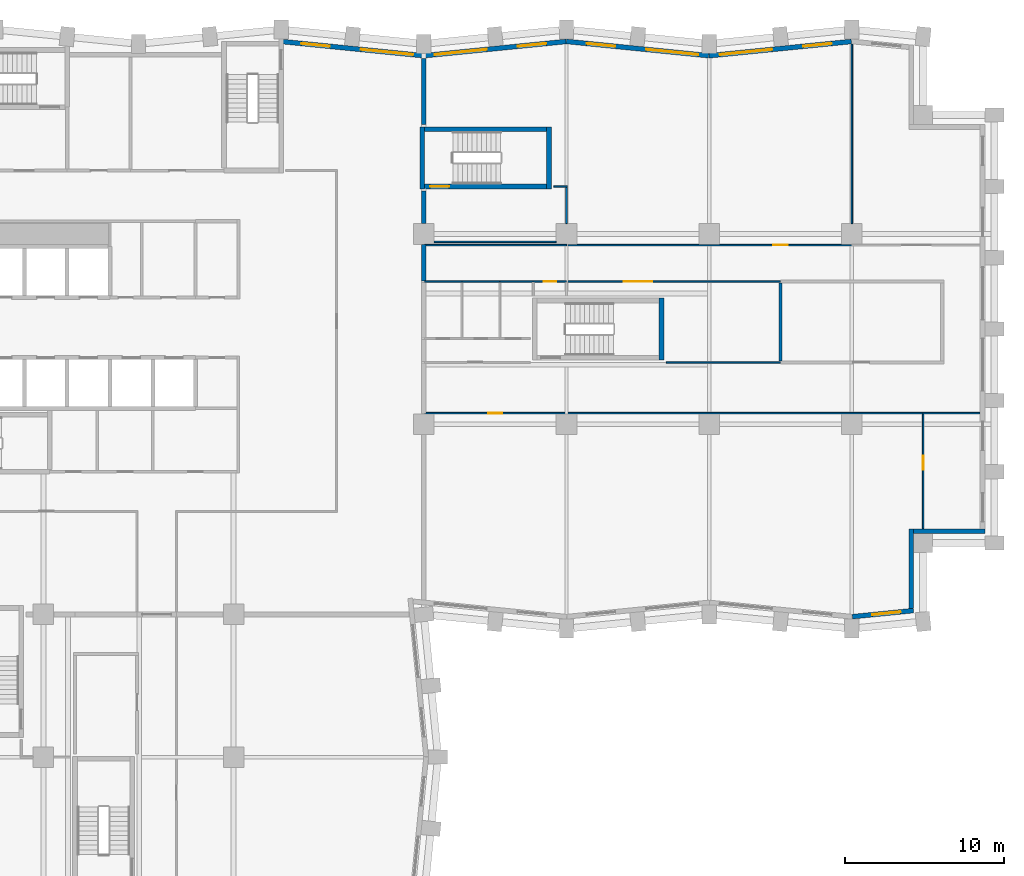
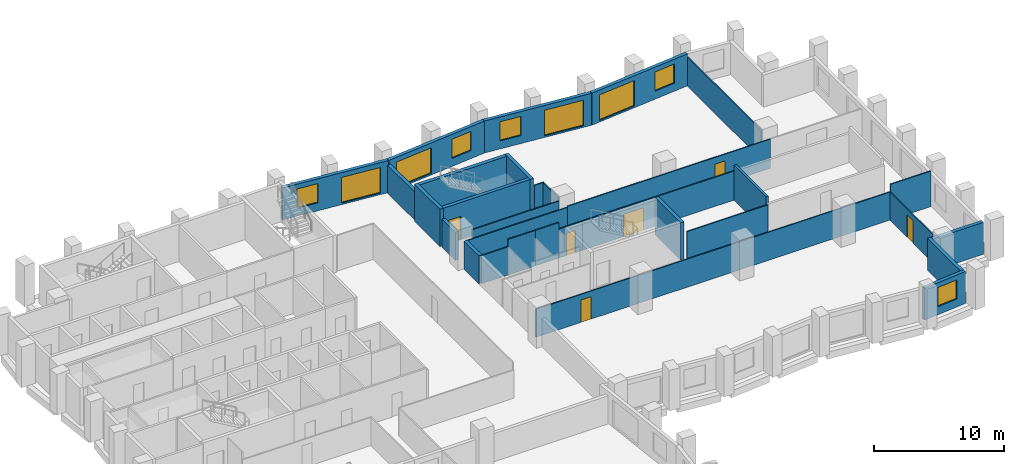
# One storey, part 7 of 11: 31 walls, 9 windows, 6 doors, 15 openings.
"""IFC4 building model written with IfcOpenShell, lengths in metres."""

from ifc_helpers import new_model, si_unit, direction, frame, frame_2d, origin, place, context, subcontext, project, spatial, rectangle, extrude, material, layer, layer_set, type_object, element, fill, save


model = new_model("IFC4")

# Units and contexts
model_context = context("Model", 3, precision=1e-05, world=origin(), true_north=direction((0.0, 1.0)))
body_context = subcontext(model_context, "Body", "Model", "MODEL_VIEW")
ifc_project = project(units=[si_unit("LENGTHUNIT", "METRE"), si_unit("AREAUNIT", "SQUARE_METRE"), si_unit("VOLUMEUNIT", "CUBIC_METRE"), si_unit("PLANEANGLEUNIT", "RADIAN"), si_unit("MASSUNIT", "GRAM", prefix="KILO")], contexts=[model_context])

# Site, building, storey
site_placement = place(None, origin())
site = spatial("IfcSite", under=ifc_project, at=site_placement, CompositionType="ELEMENT")
building_placement = place(site_placement, origin())
building = spatial("IfcBuilding", under=site, at=building_placement, Name="Brondeck Convention Tower", CompositionType="ELEMENT")
storey_placement = place(building_placement, frame((0.0, 0.0, 134.10009765625)))
storey = spatial("IfcBuildingStorey", under=building, at=storey_placement, Name="L32", CompositionType="ELEMENT", Elevation=134.10009765625)

# Walls
ifc_material_1 = material(Name="Concrete compartment wall C30/37", Category="concrete")
ifc_layer_1 = layer(ifc_material_1, 0.300048828125)
ifc_layer_set_1 = layer_set([ifc_layer_1], Name="Compartment wall 300")
wall_type_1 = type_object("IfcWallType", Name="Compartment wall 300", PredefinedType="PARTITIONING", material=ifc_layer_set_1)
wall_1_placement = place(storey_placement, frame((36.0, 48.050048828125, 0.0), z_axis=(0.0, 0.0, 1.0), x_axis=(0.0, 1.0, 0.0)))
element("IfcWall", 1, at=wall_1_placement, inside=storey, type_object=wall_type_1, Name="FLR-L32-W050", PredefinedType="PARTITIONING", context=body_context, shape_type="SweptSolid", body=[
    extrude(rectangle(XDim=2.280029296875, YDim=0.300048828125, at=frame_2d((1.14013671875, 0.0))), origin(), (0.0, 0.0, 1.0), 2.6298828125),
])
wall_2_placement = place(storey_placement, frame((36.0, 51.655029296875, 0.0), z_axis=(0.0, 0.0, 1.0), x_axis=(0.0, 1.0, 0.0)))
element("IfcWall", 2, at=wall_2_placement, inside=storey, type_object=wall_type_1, Name="FLR-L32-W055", PredefinedType="PARTITIONING", context=body_context, shape_type="SweptSolid", body=[
    extrude(rectangle(XDim=2.044921875, YDim=0.300048828125, at=frame_2d((1.0224609375, 0.0))), origin(), (0.0, 0.0, 1.0), 2.6298828125),
])
wall_3_placement = place(storey_placement, frame((36.0, 57.89990234375, 0.0), z_axis=(0.0, 0.0, 1.0), x_axis=(0.0, 1.0, 0.0)))
element("IfcWall", 3, at=wall_3_placement, inside=storey, type_object=wall_type_1, Name="FLR-L32-W060", PredefinedType="PARTITIONING", context=body_context, shape_type="SweptSolid", body=[
    extrude(rectangle(XDim=4.175537109375, YDim=0.300048828125, at=frame_2d((2.087890625, 0.0))), origin(), (0.0, 0.0, 1.0), 2.6298828125),
])

# Wall, opening, window
ifc_material_2 = material(Name="Precast concrete C50/60 bronze finish", Category="concrete")
ifc_layer_2 = layer(ifc_material_2, 0.070068359375, Name="Bronze precast facing")
ifc_material_3 = material(Name="Mineral wool")
ifc_layer_3 = layer(ifc_material_3, 0.159912109375, Name="Insulation")
ifc_material_4 = material(Name="Concrete C35/45", Category="concrete")
ifc_layer_4 = layer(ifc_material_4, 0.070068359375, Name="Backing")
ifc_layer_set_2 = layer_set([ifc_layer_2, ifc_layer_3, ifc_layer_4], Name="External infill wall, precast concrete C50/60 bronze facing")
wall_type_2 = type_object("IfcWallType", Name="External infill wall, precast concrete C50/60 bronze facing", PredefinedType="SOLIDWALL", material=ifc_layer_set_2)
wall_4_placement = place(storey_placement, frame((66.885009765625, 27.2421875, 0.0), z_axis=(0.0, 0.0, 1.0), x_axis=(-0.995037814081, -0.099497480111, 0.0)))
wall_4 = element("IfcWall", 4, at=wall_4_placement, inside=storey, type_object=wall_type_2, Name="ENV-EW-L32-P0-A-S-06", PredefinedType="SOLIDWALL", context=body_context, shape_type="SweptSolid", body=[
    extrude(rectangle(XDim=3.87451171875, YDim=0.300048828125, at=frame_2d((1.937255859375, 0.0))), origin(), (0.0, 0.0, 1.0), 3.0),
])
opening_1_placement = place(wall_4_placement, frame((0.818359375, 0.0, 0.75)))
opening_1 = element("IfcOpeningElement", 5, at=opening_1_placement, cuts=wall_4, Name="Opening W10", PredefinedType="OPENING", context=body_context, shape_type="SweptSolid", body=[
    extrude(rectangle(XDim=1.800048828125, YDim=1.800048828125, at=frame_2d((0.89990234375, 0.89990234375))), frame((0.0, 0.159912109375, 0.0), z_axis=(0.0, -1.0, 0.0), x_axis=(1.0, 0.0, 0.0)), (0.0, 0.0, 1.0), 0.320068359375),
])
ifc_material_5 = material(Name="Bronze tinted double glazing", Category="glass")
window_type_1 = type_object("IfcWindowType", Name="Punched window, bronze tinted", PartitioningType="SINGLE_PANEL", PredefinedType="WINDOW", material=ifc_material_5)
window_1_placement = place(opening_1_placement, origin())
window_1 = element("IfcWindow", 6, at=window_1_placement, inside=storey, type_object=window_type_1, Name="ENV-WN-L32-P0-A-S-06", OverallHeight=1.800048828125, OverallWidth=1.800048828125, PartitioningType="SINGLE_PANEL", PredefinedType="WINDOW", context=body_context, shape_type="SweptSolid", body=[
    extrude(rectangle(XDim=1.800048828125, YDim=1.800048828125, at=frame_2d((0.89990234375, 0.89990234375))), frame((0.0, 0.030029296875, 0.0), z_axis=(0.0, -1.0, 0.0), x_axis=(1.0, 0.0, 0.0)), (0.0, 0.0, 1.0), 0.06005859375),
])
fill(opening_1, window_1)

# Walls
wall_5_placement = place(storey_placement, frame((66.75, 32.39990234375, 0.0), z_axis=(0.0, 0.0, 1.0), x_axis=(0.0, -1.0, 0.0)))
element("IfcWall", 7, at=wall_5_placement, inside=storey, type_object=wall_type_2, Name="ENV-EW-L32-P0-NC-SEA72-01", PredefinedType="SOLIDWALL", context=body_context, shape_type="SweptSolid", body=[
    extrude(rectangle(XDim=5.019287109375, YDim=0.300048828125, at=frame_2d((2.509765625, 0.0))), origin(), (0.0, 0.0, 1.0), 3.0),
])
wall_6_placement = place(storey_placement, frame((71.39990234375, 32.25, 0.0), z_axis=(0.0, 0.0, 1.0), x_axis=(-1.0, 0.0, 0.0)))
element("IfcWall", 8, at=wall_6_placement, inside=storey, type_object=wall_type_2, Name="ENV-EW-L32-P0-NC-SEA72-02", PredefinedType="SOLIDWALL", context=body_context, shape_type="SweptSolid", body=[
    extrude(rectangle(XDim=4.5, YDim=0.300048828125, at=frame_2d((2.25, 0.0))), origin(), (0.0, 0.0, 1.0), 3.0),
])

# Wall, openings, windows
wall_7_placement = place(storey_placement, frame((53.985107421875, 62.244873046875, 0.0), z_axis=(0.0, 0.0, 1.0), x_axis=(0.995037993253, 0.099495688264, 0.0)))
wall_7 = element("IfcWall", 9, at=wall_7_placement, inside=storey, type_object=wall_type_2, Name="ENV-EW-L32-P0-A-N-13", PredefinedType="SOLIDWALL", context=body_context, shape_type="SweptSolid", body=[
    extrude(rectangle(XDim=9.030029296875, YDim=0.300048828125, at=frame_2d((4.51513671875, 0.0))), origin(), (0.0, 0.0, 1.0), 3.0),
])
opening_2_placement = place(wall_7_placement, frame((0.701171875, 0.0, 0.14990234375)))
opening_2 = element("IfcOpeningElement", 10, at=opening_2_placement, cuts=wall_7, Name="Opening W9", PredefinedType="OPENING", context=body_context, shape_type="SweptSolid", body=[
    extrude(rectangle(XDim=3.300048828125, YDim=2.39990234375, at=frame_2d((1.64990234375, 1.199951171875))), frame((0.0, 0.159912109375, 0.0), z_axis=(0.0, -1.0, 0.0), x_axis=(1.0, 0.0, 0.0)), (0.0, 0.0, 1.0), 0.320068359375),
])
opening_3_placement = place(wall_7_placement, frame((5.9736328125, 0.0, 0.75)))
opening_3 = element("IfcOpeningElement", 11, at=opening_3_placement, cuts=wall_7, Name="Opening W10", PredefinedType="OPENING", context=body_context, shape_type="SweptSolid", body=[
    extrude(rectangle(XDim=1.800048828125, YDim=1.800048828125, at=frame_2d((0.89990234375, 0.89990234375))), frame((0.0, 0.159912109375, 0.0), z_axis=(0.0, -1.0, 0.0), x_axis=(1.0, 0.0, 0.0)), (0.0, 0.0, 1.0), 0.320068359375),
])
window_type_2 = type_object("IfcWindowType", Name="Glazed flute window, bronze tinted", PartitioningType="SINGLE_PANEL", PredefinedType="WINDOW", material=ifc_material_5)
window_2_placement = place(opening_2_placement, origin())
window_2 = element("IfcWindow", 12, at=window_2_placement, inside=storey, type_object=window_type_2, Name="ENV-WN-L32-P0-A-N-12", OverallHeight=2.39990234375, OverallWidth=3.300048828125, PartitioningType="SINGLE_PANEL", PredefinedType="WINDOW", context=body_context, shape_type="SweptSolid", body=[
    extrude(rectangle(XDim=3.300048828125, YDim=2.39990234375, at=frame_2d((1.64990234375, 1.199951171875))), frame((0.0, 0.030029296875, 0.0), z_axis=(0.0, -1.0, 0.0), x_axis=(1.0, 0.0, 0.0)), (0.0, 0.0, 1.0), 0.06005859375),
])
fill(opening_2, window_2)
window_3_placement = place(opening_3_placement, origin())
window_3 = element("IfcWindow", 13, at=window_3_placement, inside=storey, type_object=window_type_1, Name="ENV-WN-L32-P0-A-N-13", OverallHeight=1.800048828125, OverallWidth=1.800048828125, PartitioningType="SINGLE_PANEL", PredefinedType="WINDOW", context=body_context, shape_type="SweptSolid", body=[
    extrude(rectangle(XDim=1.800048828125, YDim=1.800048828125, at=frame_2d((0.89990234375, 0.89990234375))), frame((0.0, 0.030029296875, 0.0), z_axis=(0.0, -1.0, 0.0), x_axis=(1.0, 0.0, 0.0)), (0.0, 0.0, 1.0), 0.06005859375),
])
fill(opening_3, window_3)

wall_8_placement = place(storey_placement, frame((44.985107421875, 63.147705078125, 0.0), z_axis=(0.0, 0.0, 1.0), x_axis=(0.995037993253, -0.099495688264, 0.0)))
wall_8 = element("IfcWall", 14, at=wall_8_placement, inside=storey, type_object=wall_type_2, Name="ENV-EW-L32-P0-A-N-11", PredefinedType="SOLIDWALL", context=body_context, shape_type="SweptSolid", body=[
    extrude(rectangle(XDim=9.030029296875, YDim=0.300048828125, at=frame_2d((4.51513671875, 0.0))), origin(), (0.0, 0.0, 1.0), 3.0),
])
opening_4_placement = place(wall_8_placement, frame((1.30126953125, 0.0, 0.75)))
opening_4 = element("IfcOpeningElement", 15, at=opening_4_placement, cuts=wall_8, Name="Opening W10", PredefinedType="OPENING", context=body_context, shape_type="SweptSolid", body=[
    extrude(rectangle(XDim=1.800048828125, YDim=1.800048828125, at=frame_2d((0.89990234375, 0.89990234375))), frame((0.0, 0.159912109375, 0.0), z_axis=(0.0, -1.0, 0.0), x_axis=(1.0, 0.0, 0.0)), (0.0, 0.0, 1.0), 0.320068359375),
])
opening_5_placement = place(wall_8_placement, frame((5.073486328125, 0.0, 0.14990234375)))
opening_5 = element("IfcOpeningElement", 16, at=opening_5_placement, cuts=wall_8, Name="Opening W9", PredefinedType="OPENING", context=body_context, shape_type="SweptSolid", body=[
    extrude(rectangle(XDim=3.300048828125, YDim=2.39990234375, at=frame_2d((1.64990234375, 1.199951171875))), frame((0.0, 0.159912109375, 0.0), z_axis=(0.0, -1.0, 0.0), x_axis=(1.0, 0.0, 0.0)), (0.0, 0.0, 1.0), 0.320068359375),
])
window_4_placement = place(opening_5_placement, origin())
window_4 = element("IfcWindow", 17, at=window_4_placement, inside=storey, type_object=window_type_2, Name="ENV-WN-L32-P0-A-N-11", OverallHeight=2.39990234375, OverallWidth=3.300048828125, PartitioningType="SINGLE_PANEL", PredefinedType="WINDOW", context=body_context, shape_type="SweptSolid", body=[
    extrude(rectangle(XDim=3.300048828125, YDim=2.39990234375, at=frame_2d((1.64990234375, 1.199951171875))), frame((0.0, 0.030029296875, 0.0), z_axis=(0.0, -1.0, 0.0), x_axis=(1.0, 0.0, 0.0)), (0.0, 0.0, 1.0), 0.06005859375),
])
fill(opening_5, window_4)
window_5_placement = place(opening_4_placement, origin())
window_5 = element("IfcWindow", 18, at=window_5_placement, inside=storey, type_object=window_type_1, Name="ENV-WN-L32-P0-A-N-10", OverallHeight=1.800048828125, OverallWidth=1.800048828125, PartitioningType="SINGLE_PANEL", PredefinedType="WINDOW", context=body_context, shape_type="SweptSolid", body=[
    extrude(rectangle(XDim=1.800048828125, YDim=1.800048828125, at=frame_2d((0.89990234375, 0.89990234375))), frame((0.0, 0.030029296875, 0.0), z_axis=(0.0, -1.0, 0.0), x_axis=(1.0, 0.0, 0.0)), (0.0, 0.0, 1.0), 0.06005859375),
])
fill(opening_4, window_5)

wall_9_placement = place(storey_placement, frame((35.985107421875, 62.244873046875, 0.0), z_axis=(0.0, 0.0, 1.0), x_axis=(0.995037993253, 0.099495688264, 0.0)))
wall_9 = element("IfcWall", 19, at=wall_9_placement, inside=storey, type_object=wall_type_2, Name="ENV-EW-L32-P0-A-N-09", PredefinedType="SOLIDWALL", context=body_context, shape_type="SweptSolid", body=[
    extrude(rectangle(XDim=9.030029296875, YDim=0.300048828125, at=frame_2d((4.51513671875, 0.0))), origin(), (0.0, 0.0, 1.0), 3.0),
])
opening_6_placement = place(wall_9_placement, frame((0.701171875, 0.0, 0.14990234375)))
opening_6 = element("IfcOpeningElement", 20, at=opening_6_placement, cuts=wall_9, Name="Opening W9", PredefinedType="OPENING", context=body_context, shape_type="SweptSolid", body=[
    extrude(rectangle(XDim=3.300048828125, YDim=2.39990234375, at=frame_2d((1.64990234375, 1.199951171875))), frame((0.0, 0.159912109375, 0.0), z_axis=(0.0, -1.0, 0.0), x_axis=(1.0, 0.0, 0.0)), (0.0, 0.0, 1.0), 0.320068359375),
])
opening_7_placement = place(wall_9_placement, frame((5.9736328125, 0.0, 0.75)))
opening_7 = element("IfcOpeningElement", 21, at=opening_7_placement, cuts=wall_9, Name="Opening W10", PredefinedType="OPENING", context=body_context, shape_type="SweptSolid", body=[
    extrude(rectangle(XDim=1.800048828125, YDim=1.800048828125, at=frame_2d((0.89990234375, 0.89990234375))), frame((0.0, 0.159912109375, 0.0), z_axis=(0.0, -1.0, 0.0), x_axis=(1.0, 0.0, 0.0)), (0.0, 0.0, 1.0), 0.320068359375),
])
window_6_placement = place(opening_6_placement, origin())
window_6 = element("IfcWindow", 22, at=window_6_placement, inside=storey, type_object=window_type_2, Name="ENV-WN-L32-P0-A-N-08", OverallHeight=2.39990234375, OverallWidth=3.300048828125, PartitioningType="SINGLE_PANEL", PredefinedType="WINDOW", context=body_context, shape_type="SweptSolid", body=[
    extrude(rectangle(XDim=3.300048828125, YDim=2.39990234375, at=frame_2d((1.64990234375, 1.199951171875))), frame((0.0, 0.030029296875, 0.0), z_axis=(0.0, -1.0, 0.0), x_axis=(1.0, 0.0, 0.0)), (0.0, 0.0, 1.0), 0.06005859375),
])
fill(opening_6, window_6)
window_7_placement = place(opening_7_placement, origin())
window_7 = element("IfcWindow", 23, at=window_7_placement, inside=storey, type_object=window_type_1, Name="ENV-WN-L32-P0-A-N-09", OverallHeight=1.800048828125, OverallWidth=1.800048828125, PartitioningType="SINGLE_PANEL", PredefinedType="WINDOW", context=body_context, shape_type="SweptSolid", body=[
    extrude(rectangle(XDim=1.800048828125, YDim=1.800048828125, at=frame_2d((0.89990234375, 0.89990234375))), frame((0.0, 0.030029296875, 0.0), z_axis=(0.0, -1.0, 0.0), x_axis=(1.0, 0.0, 0.0)), (0.0, 0.0, 1.0), 0.06005859375),
])
fill(opening_7, window_7)

wall_10_placement = place(storey_placement, frame((27.07470703125, 63.138916015625, 0.0), z_axis=(0.0, 0.0, 1.0), x_axis=(0.995036108601, -0.099514534519, 0.0)))
wall_10 = element("IfcWall", 24, at=wall_10_placement, inside=storey, type_object=wall_type_2, Name="ENV-EW-L32-P0-A-N-07", PredefinedType="SOLIDWALL", context=body_context, shape_type="SweptSolid", body=[
    extrude(rectangle(XDim=8.93994140625, YDim=0.300048828125, at=frame_2d((4.469970703125, 0.0))), origin(), (0.0, 0.0, 1.0), 3.0),
])
opening_8_placement = place(wall_10_placement, frame((1.211181640625, 0.0, 0.75)))
opening_8 = element("IfcOpeningElement", 25, at=opening_8_placement, cuts=wall_10, Name="Opening W10", PredefinedType="OPENING", context=body_context, shape_type="SweptSolid", body=[
    extrude(rectangle(XDim=1.800048828125, YDim=1.800048828125, at=frame_2d((0.89990234375, 0.89990234375))), frame((0.0, 0.159912109375, 0.0), z_axis=(0.0, -1.0, 0.0), x_axis=(1.0, 0.0, 0.0)), (0.0, 0.0, 1.0), 0.320068359375),
])
opening_9_placement = place(wall_10_placement, frame((4.983642578125, 0.0, 0.14990234375)))
opening_9 = element("IfcOpeningElement", 26, at=opening_9_placement, cuts=wall_10, Name="Opening W9", PredefinedType="OPENING", context=body_context, shape_type="SweptSolid", body=[
    extrude(rectangle(XDim=3.300048828125, YDim=2.39990234375, at=frame_2d((1.64990234375, 1.199951171875))), frame((0.0, 0.159912109375, 0.0), z_axis=(0.0, -1.0, 0.0), x_axis=(1.0, 0.0, 0.0)), (0.0, 0.0, 1.0), 0.320068359375),
])
window_8_placement = place(opening_9_placement, origin())
window_8 = element("IfcWindow", 27, at=window_8_placement, inside=storey, type_object=window_type_2, Name="ENV-WN-L32-P0-A-N-07", OverallHeight=2.39990234375, OverallWidth=3.300048828125, PartitioningType="SINGLE_PANEL", PredefinedType="WINDOW", context=body_context, shape_type="SweptSolid", body=[
    extrude(rectangle(XDim=3.300048828125, YDim=2.39990234375, at=frame_2d((1.64990234375, 1.199951171875))), frame((0.0, 0.030029296875, 0.0), z_axis=(0.0, -1.0, 0.0), x_axis=(1.0, 0.0, 0.0)), (0.0, 0.0, 1.0), 0.06005859375),
])
fill(opening_9, window_8)
window_9_placement = place(opening_8_placement, origin())
window_9 = element("IfcWindow", 28, at=window_9_placement, inside=storey, type_object=window_type_1, Name="ENV-WN-L32-P0-A-N-06", OverallHeight=1.800048828125, OverallWidth=1.800048828125, PartitioningType="SINGLE_PANEL", PredefinedType="WINDOW", context=body_context, shape_type="SweptSolid", body=[
    extrude(rectangle(XDim=1.800048828125, YDim=1.800048828125, at=frame_2d((0.89990234375, 0.89990234375))), frame((0.0, 0.030029296875, 0.0), z_axis=(0.0, -1.0, 0.0), x_axis=(1.0, 0.0, 0.0)), (0.0, 0.0, 1.0), 0.06005859375),
])
fill(opening_8, window_9)

# Wall
ifc_material_6 = material(Name="Concrete block wall C16/20", Category="concrete")
ifc_layer_5 = layer(ifc_material_6, 0.199951171875)
ifc_layer_set_3 = layer_set([ifc_layer_5], Name="Plant room wall 200")
wall_type_3 = type_object("IfcWallType", Name="Plant room wall 200", PredefinedType="PARTITIONING", material=ifc_layer_set_3)
wall_11_placement = place(storey_placement, frame((58.5, 47.89990234375, 0.0), z_axis=(0.0, 0.0, 1.0), x_axis=(0.0, -1.0, 0.0)))
element("IfcWall", 29, at=wall_11_placement, inside=storey, type_object=wall_type_3, Name="FLR-L32-W039", PredefinedType="PARTITIONING", context=body_context, shape_type="SweptSolid", body=[
    extrude(rectangle(XDim=4.89990234375, YDim=0.199951171875, at=frame_2d((2.449951171875, 0.0))), origin(), (0.0, 0.0, 1.0), 3.329833984375),
])

# Wall, opening, door
ifc_material_7 = material(Name="Gypsum board partition on steel studs", Category="steel")
ifc_layer_6 = layer(ifc_material_7, 0.10009765625)
ifc_layer_set_4 = layer_set([ifc_layer_6], Name="Room partition 100")
wall_type_4 = type_object("IfcWallType", Name="Room partition 100", PredefinedType="PARTITIONING", material=ifc_layer_set_4)
wall_12_placement = place(storey_placement, frame((67.5, 39.64990234375, 0.0), z_axis=(0.0, 0.0, 1.0), x_axis=(0.0, -1.0, 0.0)))
wall_12 = element("IfcWall", 30, at=wall_12_placement, inside=storey, type_object=wall_type_4, Name="FLR-L32-W026", PredefinedType="PARTITIONING", context=body_context, shape_type="SweptSolid", body=[
    extrude(rectangle(XDim=7.22998046875, YDim=0.10009765625, at=frame_2d((3.614990234375, 0.0))), origin(), (0.0, 0.0, 1.0), 2.6298828125),
])
opening_10_placement = place(wall_12_placement, frame((2.625, 0.0, 0.0)))
opening_10 = element("IfcOpeningElement", 31, at=opening_10_placement, cuts=wall_12, Name="Opening OF-E-010", PredefinedType="OPENING", context=body_context, shape_type="SweptSolid", body=[
    extrude(rectangle(XDim=0.89990234375, YDim=2.10009765625, at=frame_2d((0.449951171875, 1.050048828125))), frame((0.0, 0.06005859375, 0.0), z_axis=(0.0, -1.0, 0.0), x_axis=(1.0, 0.0, 0.0)), (0.0, 0.0, 1.0), 0.1201171875),
])
ifc_material_8 = material(Name="Solid timber door leaf", Category="wood")
door_type_1 = type_object("IfcDoorType", Name="Single door 900", OperationType="NOTDEFINED", PredefinedType="DOOR", material=ifc_material_8)
door_1_placement = place(opening_10_placement, origin())
door_1 = element("IfcDoor", 32, at=door_1_placement, inside=storey, type_object=door_type_1, Name="Door OF-E-010", OperationType="SINGLE_SWING_LEFT", OverallHeight=2.10009765625, OverallWidth=0.89990234375, PredefinedType="DOOR", context=body_context, shape_type="SweptSolid", body=[
    extrude(rectangle(XDim=0.89990234375, YDim=2.10009765625, at=frame_2d((0.449951171875, 1.050048828125))), frame((0.0, 0.02490234375, 0.0), z_axis=(0.0, -1.0, 0.0), x_axis=(1.0, 0.0, 0.0)), (0.0, 0.0, 1.0), 0.050048828125),
])
fill(opening_10, door_1)

wall_13_placement = place(storey_placement, frame((67.5, 39.699951171875, 0.0), z_axis=(0.0, 0.0, 1.0), x_axis=(-1.0, 0.0, 0.0)))
wall_13 = element("IfcWall", 33, at=wall_13_placement, inside=storey, type_object=wall_type_4, Name="FLR-L32-W027", PredefinedType="PARTITIONING", context=body_context, shape_type="SweptSolid", body=[
    extrude(rectangle(XDim=31.449951171875, YDim=0.10009765625, at=frame_2d((15.72509765625, 0.0))), origin(), (0.0, 0.0, 1.0), 2.6298828125),
])
opening_11_placement = place(wall_13_placement, frame((26.550048828125, 0.0, 0.0)))
opening_11 = element("IfcOpeningElement", 34, at=opening_11_placement, cuts=wall_13, Name="Opening OF-E-009", PredefinedType="OPENING", context=body_context, shape_type="SweptSolid", body=[
    extrude(rectangle(XDim=0.89990234375, YDim=2.10009765625, at=frame_2d((0.449951171875, 1.050048828125))), frame((0.0, 0.06005859375, 0.0), z_axis=(0.0, -1.0, 0.0), x_axis=(1.0, 0.0, 0.0)), (0.0, 0.0, 1.0), 0.1201171875),
])
door_2_placement = place(opening_11_placement, origin())
door_2 = element("IfcDoor", 35, at=door_2_placement, inside=storey, type_object=door_type_1, Name="Door OF-E-009", OperationType="SINGLE_SWING_LEFT", OverallHeight=2.10009765625, OverallWidth=0.89990234375, PredefinedType="DOOR", context=body_context, shape_type="SweptSolid", body=[
    extrude(rectangle(XDim=0.89990234375, YDim=2.10009765625, at=frame_2d((0.449951171875, 1.050048828125))), frame((0.0, 0.02490234375, 0.0), z_axis=(0.0, -1.0, 0.0), x_axis=(1.0, 0.0, 0.0)), (0.0, 0.0, 1.0), 0.050048828125),
])
fill(opening_11, door_2)

# Walls
wall_14_placement = place(storey_placement, frame((71.080078125, 39.699951171875, 0.0), z_axis=(0.0, 0.0, 1.0), x_axis=(-1.0, 0.0, 0.0)))
element("IfcWall", 36, at=wall_14_placement, inside=storey, type_object=wall_type_4, Name="FLR-L32-W028", PredefinedType="PARTITIONING", context=body_context, shape_type="SweptSolid", body=[
    extrude(rectangle(XDim=3.580078125, YDim=0.10009765625, at=frame_2d((1.7900390625, 0.0))), origin(), (0.0, 0.0, 1.0), 3.329833984375),
])
wall_15_placement = place(storey_placement, frame((51.300048828125, 42.89990234375, 0.0), z_axis=(0.0, 0.0, 1.0), x_axis=(1.0, 0.0, 0.0)))
element("IfcWall", 37, at=wall_15_placement, inside=storey, type_object=wall_type_4, Name="FLR-L32-W031", PredefinedType="PARTITIONING", context=body_context, shape_type="SweptSolid", body=[
    extrude(rectangle(XDim=7.199951171875, YDim=0.10009765625, at=frame_2d((3.60009765625, 0.0))), origin(), (0.0, 0.0, 1.0), 2.6298828125),
])
wall_16_placement = place(storey_placement, frame((38.39990234375, 48.0, 0.0), z_axis=(0.0, 0.0, 1.0), x_axis=(-1.0, 0.0, 0.0)))
element("IfcWall", 38, at=wall_16_placement, inside=storey, type_object=wall_type_4, Name="FLR-L32-W044", PredefinedType="PARTITIONING", context=body_context, shape_type="SweptSolid", body=[
    extrude(rectangle(XDim=2.349853515625, YDim=0.10009765625, at=frame_2d((1.1748046875, 0.0))), origin(), (0.0, 0.0, 1.0), 2.6298828125),
])
wall_17_placement = place(storey_placement, frame((40.800048828125, 48.0, 0.0), z_axis=(0.0, 0.0, 1.0), x_axis=(-1.0, 0.0, 0.0)))
element("IfcWall", 39, at=wall_17_placement, inside=storey, type_object=wall_type_4, Name="FLR-L32-W045", PredefinedType="PARTITIONING", context=body_context, shape_type="SweptSolid", body=[
    extrude(rectangle(XDim=2.400146484375, YDim=0.10009765625, at=frame_2d((1.2001953125, 0.0))), origin(), (0.0, 0.0, 1.0), 3.329833984375),
])
wall_18_placement = place(storey_placement, frame((42.89990234375, 48.0, 0.0), z_axis=(0.0, 0.0, 1.0), x_axis=(-1.0, 0.0, 0.0)))
element("IfcWall", 40, at=wall_18_placement, inside=storey, type_object=wall_type_4, Name="FLR-L32-W046", PredefinedType="PARTITIONING", context=body_context, shape_type="SweptSolid", body=[
    extrude(rectangle(XDim=2.099853515625, YDim=0.10009765625, at=frame_2d((1.0498046875, 0.0))), origin(), (0.0, 0.0, 1.0), 3.329833984375),
])

# Wall, opening, door
wall_19_placement = place(storey_placement, frame((45.0, 48.0, 0.0), z_axis=(0.0, 0.0, 1.0), x_axis=(-1.0, 0.0, 0.0)))
wall_19 = element("IfcWall", 41, at=wall_19_placement, inside=storey, type_object=wall_type_4, Name="FLR-L32-W047", PredefinedType="PARTITIONING", context=body_context, shape_type="SweptSolid", body=[
    extrude(rectangle(XDim=2.10009765625, YDim=0.10009765625, at=frame_2d((1.050048828125, 0.0))), origin(), (0.0, 0.0, 1.0), 2.72998046875),
])
opening_12_placement = place(wall_19_placement, frame((0.64990234375, 0.0, 0.0)))
opening_12 = element("IfcOpeningElement", 42, at=opening_12_placement, cuts=wall_19, Name="Opening OF-E-006", PredefinedType="OPENING", context=body_context, shape_type="SweptSolid", body=[
    extrude(rectangle(XDim=0.800048828125, YDim=2.10009765625, at=frame_2d((0.39990234375, 1.050048828125))), frame((0.0, 0.06005859375, 0.0), z_axis=(0.0, -1.0, 0.0), x_axis=(1.0, 0.0, 0.0)), (0.0, 0.0, 1.0), 0.1201171875),
])
ifc_material_9 = material(Name="Steel service door leaf", Category="steel")
door_type_2 = type_object("IfcDoorType", Name="Service door 800", OperationType="NOTDEFINED", PredefinedType="DOOR", material=ifc_material_9)
door_3_placement = place(opening_12_placement, origin())
door_3 = element("IfcDoor", 43, at=door_3_placement, inside=storey, type_object=door_type_2, Name="Door OF-E-006", OperationType="SINGLE_SWING_LEFT", OverallHeight=2.10009765625, OverallWidth=0.800048828125, PredefinedType="DOOR", context=body_context, shape_type="SweptSolid", body=[
    extrude(rectangle(XDim=0.800048828125, YDim=2.10009765625, at=frame_2d((0.39990234375, 1.050048828125))), frame((0.0, 0.02490234375, 0.0), z_axis=(0.0, -1.0, 0.0), x_axis=(1.0, 0.0, 0.0)), (0.0, 0.0, 1.0), 0.050048828125),
])
fill(opening_12, door_3)

wall_20_placement = place(storey_placement, frame((58.5, 48.0, 0.0), z_axis=(0.0, 0.0, 1.0), x_axis=(-1.0, 0.0, 0.0)))
wall_20 = element("IfcWall", 44, at=wall_20_placement, inside=storey, type_object=wall_type_4, Name="FLR-L32-W048", PredefinedType="PARTITIONING", context=body_context, shape_type="SweptSolid", body=[
    extrude(rectangle(XDim=13.5, YDim=0.10009765625, at=frame_2d((6.75, 0.0))), origin(), (0.0, 0.0, 1.0), 2.72998046875),
])
opening_13_placement = place(wall_20_placement, frame((8.10009765625, 0.0, 0.0)))
opening_13 = element("IfcOpeningElement", 45, at=opening_13_placement, cuts=wall_20, Name="Opening OF-E-007", PredefinedType="OPENING", context=body_context, shape_type="SweptSolid", body=[
    extrude(rectangle(XDim=1.800048828125, YDim=2.10009765625, at=frame_2d((0.89990234375, 1.050048828125))), frame((0.0, 0.06005859375, 0.0), z_axis=(0.0, -1.0, 0.0), x_axis=(1.0, 0.0, 0.0)), (0.0, 0.0, 1.0), 0.1201171875),
])
ifc_material_10 = material(Name="Glazed timber double door", Category="wood")
door_type_3 = type_object("IfcDoorType", Name="Double door 1800", OperationType="DOUBLE_DOOR_SINGLE_SWING", PredefinedType="DOOR", material=ifc_material_10)
door_4_placement = place(opening_13_placement, origin())
door_4 = element("IfcDoor", 46, at=door_4_placement, inside=storey, type_object=door_type_3, Name="Door OF-E-007", OperationType="DOUBLE_DOOR_SINGLE_SWING", OverallHeight=2.10009765625, OverallWidth=1.800048828125, PredefinedType="DOOR", context=body_context, shape_type="SweptSolid", body=[
    extrude(rectangle(XDim=1.800048828125, YDim=2.10009765625, at=frame_2d((0.89990234375, 1.050048828125))), frame((0.0, 0.02490234375, 0.0), z_axis=(0.0, -1.0, 0.0), x_axis=(1.0, 0.0, 0.0)), (0.0, 0.0, 1.0), 0.050048828125),
])
fill(opening_13, door_4)

# Wall
wall_21_placement = place(storey_placement, frame((36.050048828125, 50.300048828125, 0.0), z_axis=(0.0, 0.0, 1.0), x_axis=(1.0, 0.0, 0.0)))
element("IfcWall", 47, at=wall_21_placement, inside=storey, type_object=wall_type_4, Name="FLR-L32-W051", PredefinedType="PARTITIONING", context=body_context, shape_type="SweptSolid", body=[
    extrude(rectangle(XDim=8.949951171875, YDim=0.10009765625, at=frame_2d((4.47509765625, 0.0))), origin(), (0.0, 0.0, 1.0), 2.6298828125),
])

# Wall, opening, door
wall_22_placement = place(storey_placement, frame((45.0, 50.300048828125, 0.0), z_axis=(0.0, 0.0, 1.0), x_axis=(1.0, 0.0, 0.0)))
wall_22 = element("IfcWall", 48, at=wall_22_placement, inside=storey, type_object=wall_type_4, Name="FLR-L32-W052", PredefinedType="PARTITIONING", context=body_context, shape_type="SweptSolid", body=[
    extrude(rectangle(XDim=18.0, YDim=0.10009765625, at=frame_2d((9.0, 0.0))), origin(), (0.0, 0.0, 1.0), 2.72998046875),
])
opening_14_placement = place(wall_22_placement, frame((13.050048828125, 0.0, 0.0)))
opening_14 = element("IfcOpeningElement", 49, at=opening_14_placement, cuts=wall_22, Name="Opening OF-E-011", PredefinedType="OPENING", context=body_context, shape_type="SweptSolid", body=[
    extrude(rectangle(XDim=0.89990234375, YDim=2.10009765625, at=frame_2d((0.449951171875, 1.050048828125))), frame((0.0, 0.06005859375, 0.0), z_axis=(0.0, -1.0, 0.0), x_axis=(1.0, 0.0, 0.0)), (0.0, 0.0, 1.0), 0.1201171875),
])
door_5_placement = place(opening_14_placement, origin())
door_5 = element("IfcDoor", 50, at=door_5_placement, inside=storey, type_object=door_type_1, Name="Door OF-E-011", OperationType="SINGLE_SWING_LEFT", OverallHeight=2.10009765625, OverallWidth=0.89990234375, PredefinedType="DOOR", context=body_context, shape_type="SweptSolid", body=[
    extrude(rectangle(XDim=0.89990234375, YDim=2.10009765625, at=frame_2d((0.449951171875, 1.050048828125))), frame((0.0, 0.02490234375, 0.0), z_axis=(0.0, -1.0, 0.0), x_axis=(1.0, 0.0, 0.0)), (0.0, 0.0, 1.0), 0.050048828125),
])
fill(opening_14, door_5)

# Walls
wall_23_placement = place(storey_placement, frame((44.344970703125, 50.5, 0.0), z_axis=(0.0, 0.0, 1.0), x_axis=(-1.0, 0.0, 0.0)))
element("IfcWall", 51, at=wall_23_placement, inside=storey, type_object=wall_type_4, Name="FLR-L32-W054", PredefinedType="PARTITIONING", context=body_context, shape_type="SweptSolid", body=[
    extrude(rectangle(XDim=7.68994140625, YDim=0.10009765625, at=frame_2d((3.844970703125, 0.0))), origin(), (0.0, 0.0, 1.0), 3.329833984375),
])
wall_24_placement = place(storey_placement, frame((45.0, 53.949951171875, 0.0), z_axis=(0.0, 0.0, 1.0), x_axis=(0.0, -1.0, 0.0)))
element("IfcWall", 52, at=wall_24_placement, inside=storey, type_object=wall_type_4, Name="FLR-L32-W056", PredefinedType="PARTITIONING", context=body_context, shape_type="SweptSolid", body=[
    extrude(rectangle(XDim=2.294921875, YDim=0.10009765625, at=frame_2d((1.1474609375, 0.0))), origin(), (0.0, 0.0, 1.0), 2.72998046875),
])
wall_25_placement = place(storey_placement, frame((44.199951171875, 54.0, 0.0), z_axis=(0.0, 0.0, 1.0), x_axis=(1.0, 0.0, 0.0)))
element("IfcWall", 53, at=wall_25_placement, inside=storey, type_object=wall_type_4, Name="FLR-L32-W057", PredefinedType="PARTITIONING", context=body_context, shape_type="SweptSolid", body=[
    extrude(rectangle(XDim=0.85009765625, YDim=0.10009765625, at=frame_2d((0.425048828125, 0.0))), origin(), (0.0, 0.0, 1.0), 2.72998046875),
])
wall_26_placement = place(storey_placement, frame((63.0, 62.9755859375, 0.0), z_axis=(0.0, 0.0, 1.0), x_axis=(0.0, -1.0, 0.0)))
element("IfcWall", 54, at=wall_26_placement, inside=storey, type_object=wall_type_4, Name="FLR-L32-W061", PredefinedType="PARTITIONING", context=body_context, shape_type="SweptSolid", body=[
    extrude(rectangle(XDim=11.320556640625, YDim=0.10009765625, at=frame_2d((5.66015625, 0.0))), origin(), (0.0, 0.0, 1.0), 2.72998046875),
])

# Wall, opening, door
ifc_material_11 = material(Name="Concrete C70/85", Category="concrete")
ifc_layer_7 = layer(ifc_material_11, 0.300048828125)
ifc_layer_set_5 = layer_set([ifc_layer_7], Name="Stair enclosure wall 300 Concrete C70/85")
wall_type_5 = type_object("IfcWallType", Name="Stair enclosure wall 300 Concrete C70/85", PredefinedType="SHEAR", material=ifc_layer_set_5)
wall_27_placement = place(storey_placement, frame((36.050048828125, 54.0, 0.0), z_axis=(0.0, 0.0, 1.0), x_axis=(1.0, 0.0, 0.0)))
wall_27 = element("IfcWall", 55, at=wall_27_placement, inside=storey, type_object=wall_type_5, Name="L32 core wall", PredefinedType="SHEAR", context=body_context, shape_type="SweptSolid", body=[
    extrude(rectangle(XDim=7.699951171875, YDim=0.300048828125, at=frame_2d((3.85009765625, 0.0))), origin(), (0.0, 0.0, 1.0), 3.5),
])
opening_15_placement = place(wall_27_placement, frame((0.35009765625, 0.0, 0.0)))
opening_15 = element("IfcOpeningElement", 56, at=opening_15_placement, cuts=wall_27, Name="Opening C18-19", PredefinedType="OPENING", context=body_context, shape_type="SweptSolid", body=[
    extrude(rectangle(XDim=1.199951171875, YDim=2.199951171875, at=frame_2d((0.60009765625, 1.10009765625))), frame((0.0, 0.159912109375, 0.0), z_axis=(0.0, -1.0, 0.0), x_axis=(1.0, 0.0, 0.0)), (0.0, 0.0, 1.0), 0.320068359375),
])
ifc_material_12 = material(Name="Steel fire door", Category="steel")
door_type_4 = type_object("IfcDoorType", Name="Stair door 1200x2200 EI 90", OperationType="NOTDEFINED", PredefinedType="DOOR", material=ifc_material_12)
door_6_placement = place(opening_15_placement, origin())
door_6 = element("IfcDoor", 57, at=door_6_placement, inside=storey, type_object=door_type_4, Name="L32 Stair door ST-AE", OperationType="SINGLE_SWING_LEFT", OverallHeight=2.199951171875, OverallWidth=1.199951171875, PredefinedType="DOOR", context=body_context, shape_type="SweptSolid", body=[
    extrude(rectangle(XDim=1.199951171875, YDim=2.199951171875, at=frame_2d((0.60009765625, 1.10009765625))), frame((0.0, 0.02490234375, 0.0), z_axis=(0.0, -1.0, 0.0), x_axis=(1.0, 0.0, 0.0)), (0.0, 0.0, 1.0), 0.050048828125),
])
fill(opening_15, door_6)

# Walls
wall_28_placement = place(storey_placement, frame((36.050048828125, 57.60009765625, 0.0), z_axis=(0.0, 0.0, 1.0), x_axis=(1.0, 0.0, 0.0)))
element("IfcWall", 58, at=wall_28_placement, inside=storey, type_object=wall_type_5, Name="L32 core wall", PredefinedType="SHEAR", context=body_context, shape_type="SweptSolid", body=[
    extrude(rectangle(XDim=7.699951171875, YDim=0.300048828125, at=frame_2d((3.85009765625, 0.0))), origin(), (0.0, 0.0, 1.0), 3.5),
])
for number, where, z_axis, x_axis, name in (
    (59, (35.89990234375, 53.85009765625, 0.0), (0.0, 0.0, 1.0), (0.0, 1.0, 0.0), "L32 core wall"),
    (60, (43.89990234375, 53.85009765625, 0.0), (0.0, 0.0, 1.0), (0.0, 1.0, 0.0), "L32 core wall"),
    (61, (51.0, 43.050048828125, 0.0), (0.0, 0.0, 1.0), (0.0, 1.0, 0.0), "L32 core wall"),
):
    element("IfcWall", number, at=place(storey_placement, frame(where, z_axis=z_axis, x_axis=x_axis)), inside=storey, type_object=wall_type_5, Name=name, PredefinedType="SHEAR", context=body_context, shape_type="SweptSolid", body=[
        extrude(rectangle(XDim=3.89990234375, YDim=0.300048828125, at=frame_2d((1.949951171875, 0.0))), origin(), (0.0, 0.0, 1.0), 3.5),
    ])

save(model, "model.ifc")
